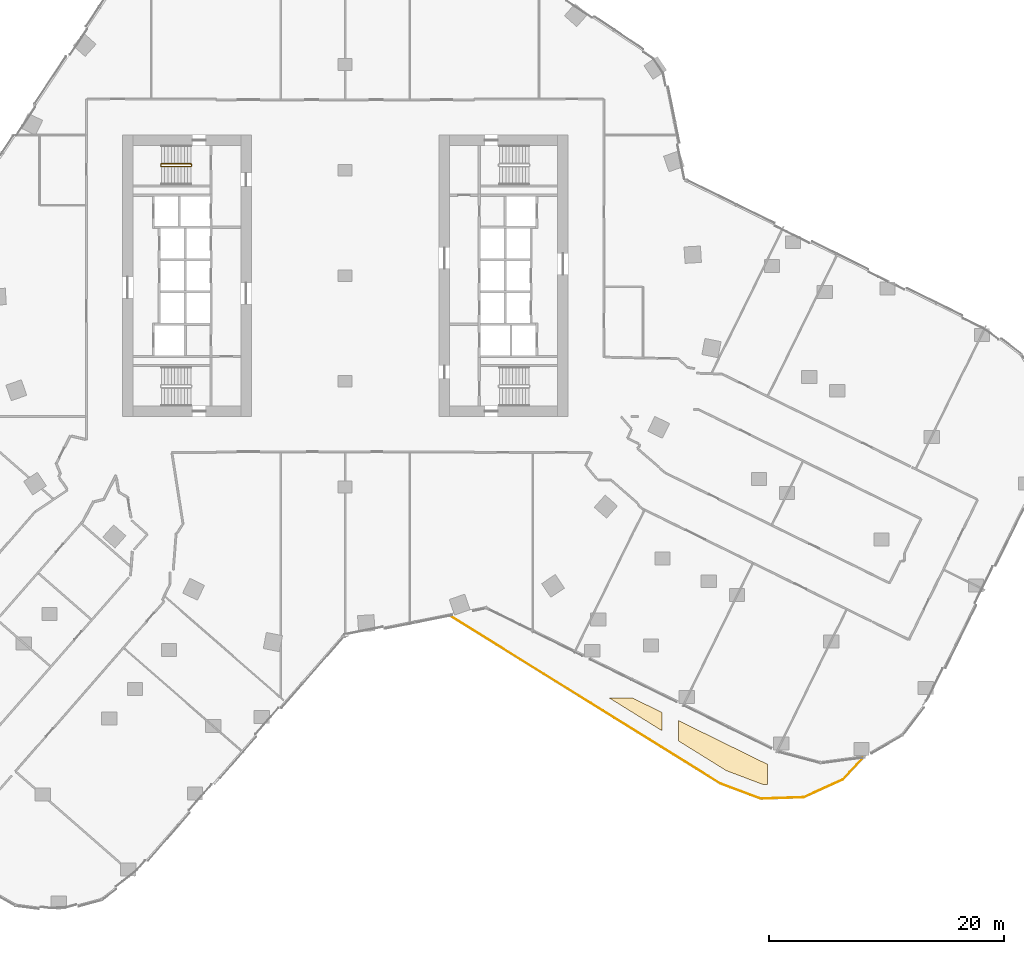
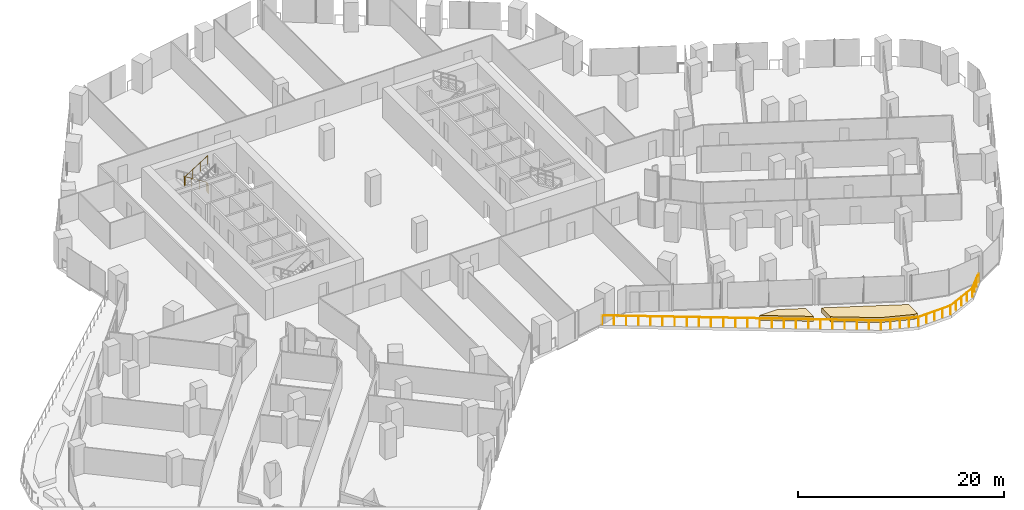
# One storey, part 29 of 32: 2 coverings, 2 railings.
"""IFC4 building model written with IfcOpenShell, lengths in metres."""

from ifc_helpers import new_model, si_unit, direction, frame, origin, origin_2d, place, context, subcontext, project, spatial, polyline, circle, outline, extrude, material, layer, layer_set, type_object, element, save


model = new_model("IFC4")

# Units and contexts
model_context = context("Model", 3, precision=1e-05, world=origin(), true_north=direction((0.0, 1.0)))
body_context = subcontext(model_context, "Body", "Model", "MODEL_VIEW")
ifc_project = project(units=[si_unit("LENGTHUNIT", "METRE"), si_unit("AREAUNIT", "SQUARE_METRE"), si_unit("VOLUMEUNIT", "CUBIC_METRE"), si_unit("PLANEANGLEUNIT", "RADIAN"), si_unit("MASSUNIT", "GRAM", prefix="KILO")], contexts=[model_context])

# Site, building, storey
site_placement = place(None, origin())
site = spatial("IfcSite", under=ifc_project, at=site_placement, CompositionType="ELEMENT")
building_placement = place(site_placement, origin())
building = spatial("IfcBuilding", under=site, at=building_placement, Name="Orlundy Tower", CompositionType="ELEMENT")
storey_placement = place(building_placement, frame((0.0, 0.0, 58.800048828125)))
storey = spatial("IfcBuildingStorey", under=building, at=storey_placement, Name="L13", CompositionType="ELEMENT", Elevation=58.800048828125)

# Coverings
ifc_material_1 = material(Name="Planted soil in precast concrete trough", Category="concrete")
ifc_layer = layer(ifc_material_1, 0.60009765625)
ifc_layer_set = layer_set([ifc_layer], Name="PLANTER box")
covering_type = type_object("IfcCoveringType", Name="PLANTER box", PredefinedType="USERDEFINED", material=ifc_layer_set)
covering_1_placement = place(storey_placement, origin())
element("IfcCovering", 1, at=covering_1_placement, inside=storey, type_object=covering_type, Name="PLANTER L13-00", ObjectType="PLANTER", PredefinedType="USERDEFINED", context=body_context, shape_type="SweptSolid", body=[
    extrude(outline(polyline([(22.532958984375, -36.0), (24.51611328125, -36.0), (27.0, -37.219970703125), (27.0, -38.77294921875), (22.532958984375, -36.0)])), origin(), (0.0, 0.0, 1.0), 0.599853515625),
])
covering_2_placement = place(storey_placement, origin())
element("IfcCovering", 2, at=covering_2_placement, inside=storey, type_object=covering_type, Name="PLANTER L13-01", ObjectType="PLANTER", PredefinedType="USERDEFINED", context=body_context, shape_type="SweptSolid", body=[
    extrude(outline(polyline([(35.614990234375, -43.35888671875), (32.507080078125, -42.19189453125), (28.39990234375, -39.64208984375), (28.39990234375, -37.907958984375), (36.0, -41.64208984375), (36.0, -43.345947265625), (35.614990234375, -43.35888671875)])), origin(), (0.0, 0.0, 1.0), 0.599853515625),
])

# Railings
ifc_material_2 = material(Name="Steel balustrade", Category="steel")
railing_type_1 = type_object("IfcRailingType", Name="Stair Guard 1100", PredefinedType="GUARDRAIL", material=ifc_material_2)
railing_1_placement = place(storey_placement, frame((-13.090087890625, 9.5, 0.0)))
element("IfcRailing", 3, at=railing_1_placement, inside=storey, type_object=railing_type_1, Name="L13 ST-W1 stair guard 1", PredefinedType="GUARDRAIL", context=body_context, shape_type="SweptSolid", body=[
    extrude(circle(Radius=0.02392578125, at=origin_2d()), frame((0.0, 0.0, 1.076171875), z_axis=(0.0, -1.0, 0.0), x_axis=(1.0, 0.0, 0.0)), (0.0, 0.0, 1.0), 0.14990234375),
    extrude(circle(Radius=0.02392578125, at=origin_2d()), frame((0.0, -0.14990234375, 1.076171875), z_axis=(-0.18420542264, 0.739530593833, 0.647427882513), x_axis=(-0.970351222016, -0.241699205484, 0.0)), (0.0, 0.0, 1.0), 0.270263671875),
    extrude(circle(Radius=0.02392578125, at=origin_2d()), frame((-0.0498046875, 0.050048828125, 1.2509765625), z_axis=(-0.848007534815, 0.0, 0.529984170421), x_axis=(0.0, -1.0, 0.0)), (0.0, 0.0, 1.0), 2.9716796875),
    extrude(circle(Radius=0.02392578125, at=origin_2d()), frame((-2.56982421875, 0.050048828125, 2.826171875), z_axis=(-0.707106781187, -0.707106781187, 0.0), x_axis=(0.707106781187, -0.707106781187, 0.0)), (0.0, 0.0, 1.0), 0.07080078125),
    extrude(circle(Radius=0.02392578125, at=origin_2d()), frame((-2.619873046875, 0.0, 2.826171875), z_axis=(0.0, -1.0, 0.0), x_axis=(1.0, 0.0, 0.0)), (0.0, 0.0, 1.0), 0.14990234375),
    extrude(circle(Radius=0.02392578125, at=origin_2d()), frame((-2.619873046875, -0.14990234375, 2.826171875), z_axis=(0.265065253269, -0.265065253269, 0.927081885822), x_axis=(0.707106781187, 0.707106781187, 0.0)), (0.0, 0.0, 1.0), 0.188720703125),
    extrude(circle(Radius=0.02392578125, at=origin_2d()), frame((-2.56982421875, -0.199951171875, 3.0009765625), z_axis=(0.848007534815, 0.0, 0.529984170421), x_axis=(0.0, 1.0, 0.0)), (0.0, 0.0, 1.0), 2.9716796875),
    extrude(circle(Radius=0.02099609375, at=origin_2d()), origin(), (0.0, 0.0, 1.0), 1.052001953125),
    extrude(circle(Radius=0.02099609375, at=origin_2d()), frame((0.0, -0.14990234375, 0.0)), (0.0, 0.0, 1.0), 1.052001953125),
    extrude(circle(Radius=0.02099609375, at=origin_2d()), frame((-0.0498046875, 0.050048828125, 0.175048828125)), (0.0, 0.0, 1.0), 1.052001953125),
    extrude(circle(Radius=0.02099609375, at=origin_2d()), frame((-0.889892578125, 0.050048828125, 0.699951171875)), (0.0, 0.0, 1.0), 1.052001953125),
    extrude(circle(Radius=0.02099609375, at=origin_2d()), frame((-1.729736328125, 0.050048828125, 1.22509765625)), (0.0, 0.0, 1.0), 1.052001953125),
    extrude(circle(Radius=0.02099609375, at=origin_2d()), frame((-2.56982421875, 0.050048828125, 1.75)), (0.0, 0.0, 1.0), 1.052001953125),
    extrude(circle(Radius=0.02099609375, at=origin_2d()), frame((-2.619873046875, 0.0, 1.75)), (0.0, 0.0, 1.0), 1.052001953125),
    extrude(circle(Radius=0.02099609375, at=origin_2d()), frame((-2.619873046875, -0.14990234375, 1.75)), (0.0, 0.0, 1.0), 1.052001953125),
    extrude(circle(Radius=0.02099609375, at=origin_2d()), frame((-2.56982421875, -0.199951171875, 1.925048828125)), (0.0, 0.0, 1.0), 1.052001953125),
    extrude(circle(Radius=0.02099609375, at=origin_2d()), frame((-1.729736328125, -0.199951171875, 2.449951171875)), (0.0, 0.0, 1.0), 1.052001953125),
    extrude(circle(Radius=0.02099609375, at=origin_2d()), frame((-0.889892578125, -0.199951171875, 2.97509765625)), (0.0, 0.0, 1.0), 1.052001953125),
    extrude(circle(Radius=0.02099609375, at=origin_2d()), frame((-0.0498046875, -0.199951171875, 3.5)), (0.0, 0.0, 1.0), 1.052001953125),
])
ifc_material_3 = material(Name="Stainless steel bronze finish", Category="steel")
railing_type_2 = type_object("IfcRailingType", Name="TG1 terrace guard", PredefinedType="GUARDRAIL", material=ifc_material_3)
railing_2_placement = place(storey_placement, frame((44.15283203125, -41.07373046875, 0.0)))
element("IfcRailing", 4, at=railing_2_placement, inside=storey, type_object=railing_type_2, Name="Guard TG-L13-00", PredefinedType="GUARDRAIL", context=body_context, shape_type="SweptSolid", body=[
    extrude(circle(Radius=0.02490234375, at=origin_2d()), frame((0.0, 0.0, 1.09521484375), z_axis=(-0.682592466754, -0.730799236679, 0.0), x_axis=(0.730799236679, -0.682592466754, 0.0)), (0.0, 0.0, 1.0), 2.537353515625),
    extrude(circle(Radius=0.02490234375, at=origin_2d()), frame((-1.73193359375, -1.854248046875, 1.09521484375), z_axis=(-0.910526015467, -0.413451780934, 0.0), x_axis=(0.413451780934, -0.910526015467, 0.0)), (0.0, 0.0, 1.0), 3.6669921875),
    extrude(circle(Radius=0.02490234375, at=origin_2d()), frame((-5.07080078125, -3.370361328125, 1.09521484375), z_axis=(-0.999448006103, -0.033221726289, 0.0), x_axis=(0.033221726289, -0.999448006103, 0.0)), (0.0, 0.0, 1.0), 3.6669921875),
    extrude(circle(Radius=0.02490234375, at=origin_2d()), frame((-8.73583984375, -3.4921875, 1.09521484375), z_axis=(-0.936247300086, 0.351341704159, 0.0), x_axis=(-0.351341704159, -0.936247300086, 0.0)), (0.0, 0.0, 1.0), 3.67724609375),
    extrude(circle(Radius=0.02490234375, at=origin_2d()), frame((-12.1787109375, -2.2001953125, 1.09521484375), z_axis=(-0.849583551099, 0.527454064069, 0.0), x_axis=(-0.527454064069, -0.849583551099, 0.0)), (0.0, 0.0, 1.0), 27.119873046875),
    extrude(circle(Radius=0.02001953125, at=origin_2d()), origin(), (0.0, 0.0, 1.0), 1.070068359375),
    extrude(circle(Radius=0.02001953125, at=origin_2d()), frame((-0.577392578125, -0.6181640625, 0.0)), (0.0, 0.0, 1.0), 1.070068359375),
    extrude(circle(Radius=0.02001953125, at=origin_2d()), frame((-1.154541015625, -1.236083984375, 0.0)), (0.0, 0.0, 1.0), 1.070068359375),
    extrude(circle(Radius=0.02001953125, at=origin_2d()), frame((-1.73193359375, -1.854248046875, 0.0)), (0.0, 0.0, 1.0), 1.070068359375),
    extrude(circle(Radius=0.02001953125, at=origin_2d()), frame((-2.566650390625, -2.2333984375, 0.0)), (0.0, 0.0, 1.0), 1.070068359375),
    extrude(circle(Radius=0.02001953125, at=origin_2d()), frame((-3.4013671875, -2.6123046875, 0.0)), (0.0, 0.0, 1.0), 1.070068359375),
    extrude(circle(Radius=0.02001953125, at=origin_2d()), frame((-4.236083984375, -2.9912109375, 0.0)), (0.0, 0.0, 1.0), 1.070068359375),
    extrude(circle(Radius=0.02001953125, at=origin_2d()), frame((-5.07080078125, -3.370361328125, 0.0)), (0.0, 0.0, 1.0), 1.070068359375),
    extrude(circle(Radius=0.02001953125, at=origin_2d()), frame((-5.987060546875, -3.40087890625, 0.0)), (0.0, 0.0, 1.0), 1.070068359375),
    extrude(circle(Radius=0.02001953125, at=origin_2d()), frame((-6.9033203125, -3.43115234375, 0.0)), (0.0, 0.0, 1.0), 1.070068359375),
    extrude(circle(Radius=0.02001953125, at=origin_2d()), frame((-7.819580078125, -3.461669921875, 0.0)), (0.0, 0.0, 1.0), 1.070068359375),
    extrude(circle(Radius=0.02001953125, at=origin_2d()), frame((-8.73583984375, -3.4921875, 0.0)), (0.0, 0.0, 1.0), 1.070068359375),
    extrude(circle(Radius=0.02001953125, at=origin_2d()), frame((-9.5966796875, -3.169189453125, 0.0)), (0.0, 0.0, 1.0), 1.070068359375),
    extrude(circle(Radius=0.02001953125, at=origin_2d()), frame((-10.457275390625, -2.84619140625, 0.0)), (0.0, 0.0, 1.0), 1.070068359375),
    extrude(circle(Radius=0.02001953125, at=origin_2d()), frame((-11.31787109375, -2.523193359375, 0.0)), (0.0, 0.0, 1.0), 1.070068359375),
    extrude(circle(Radius=0.02001953125, at=origin_2d()), frame((-12.1787109375, -2.2001953125, 0.0)), (0.0, 0.0, 1.0), 1.070068359375),
    extrude(circle(Radius=0.02001953125, at=origin_2d()), frame((-13.180419921875, -1.578369140625, 0.0)), (0.0, 0.0, 1.0), 1.070068359375),
    extrude(circle(Radius=0.02001953125, at=origin_2d()), frame((-14.18212890625, -0.956298828125, 0.0)), (0.0, 0.0, 1.0), 1.070068359375),
    extrude(circle(Radius=0.02001953125, at=origin_2d()), frame((-15.18408203125, -0.33447265625, 0.0)), (0.0, 0.0, 1.0), 1.070068359375),
    extrude(circle(Radius=0.02001953125, at=origin_2d()), frame((-16.185791015625, 0.28759765625, 0.0)), (0.0, 0.0, 1.0), 1.070068359375),
    extrude(circle(Radius=0.02001953125, at=origin_2d()), frame((-17.1875, 0.909423828125, 0.0)), (0.0, 0.0, 1.0), 1.070068359375),
    extrude(circle(Radius=0.02001953125, at=origin_2d()), frame((-18.189208984375, 1.531494140625, 0.0)), (0.0, 0.0, 1.0), 1.070068359375),
    extrude(circle(Radius=0.02001953125, at=origin_2d()), frame((-19.191162109375, 2.1533203125, 0.0)), (0.0, 0.0, 1.0), 1.070068359375),
    extrude(circle(Radius=0.02001953125, at=origin_2d()), frame((-20.19287109375, 2.775146484375, 0.0)), (0.0, 0.0, 1.0), 1.070068359375),
    extrude(circle(Radius=0.02001953125, at=origin_2d()), frame((-21.194580078125, 3.397216796875, 0.0)), (0.0, 0.0, 1.0), 1.070068359375),
    extrude(circle(Radius=0.02001953125, at=origin_2d()), frame((-22.1962890625, 4.01904296875, 0.0)), (0.0, 0.0, 1.0), 1.070068359375),
    extrude(circle(Radius=0.02001953125, at=origin_2d()), frame((-23.197998046875, 4.64111328125, 0.0)), (0.0, 0.0, 1.0), 1.070068359375),
    extrude(circle(Radius=0.02001953125, at=origin_2d()), frame((-24.199951171875, 5.262939453125, 0.0)), (0.0, 0.0, 1.0), 1.070068359375),
    extrude(circle(Radius=0.02001953125, at=origin_2d()), frame((-25.20166015625, 5.885009765625, 0.0)), (0.0, 0.0, 1.0), 1.070068359375),
    extrude(circle(Radius=0.02001953125, at=origin_2d()), frame((-26.203369140625, 6.5068359375, 0.0)), (0.0, 0.0, 1.0), 1.070068359375),
    extrude(circle(Radius=0.02001953125, at=origin_2d()), frame((-27.205078125, 7.12890625, 0.0)), (0.0, 0.0, 1.0), 1.070068359375),
    extrude(circle(Radius=0.02001953125, at=origin_2d()), frame((-28.206787109375, 7.750732421875, 0.0)), (0.0, 0.0, 1.0), 1.070068359375),
    extrude(circle(Radius=0.02001953125, at=origin_2d()), frame((-29.208740234375, 8.37255859375, 0.0)), (0.0, 0.0, 1.0), 1.070068359375),
    extrude(circle(Radius=0.02001953125, at=origin_2d()), frame((-30.21044921875, 8.99462890625, 0.0)), (0.0, 0.0, 1.0), 1.070068359375),
    extrude(circle(Radius=0.02001953125, at=origin_2d()), frame((-31.212158203125, 9.616455078125, 0.0)), (0.0, 0.0, 1.0), 1.070068359375),
    extrude(circle(Radius=0.02001953125, at=origin_2d()), frame((-32.2138671875, 10.238525390625, 0.0)), (0.0, 0.0, 1.0), 1.070068359375),
    extrude(circle(Radius=0.02001953125, at=origin_2d()), frame((-33.2158203125, 10.8603515625, 0.0)), (0.0, 0.0, 1.0), 1.070068359375),
    extrude(circle(Radius=0.02001953125, at=origin_2d()), frame((-34.217529296875, 11.482421875, 0.0)), (0.0, 0.0, 1.0), 1.070068359375),
    extrude(circle(Radius=0.02001953125, at=origin_2d()), frame((-35.21923828125, 12.104248046875, 0.0)), (0.0, 0.0, 1.0), 1.070068359375),
])

save(model, "model.ifc")
